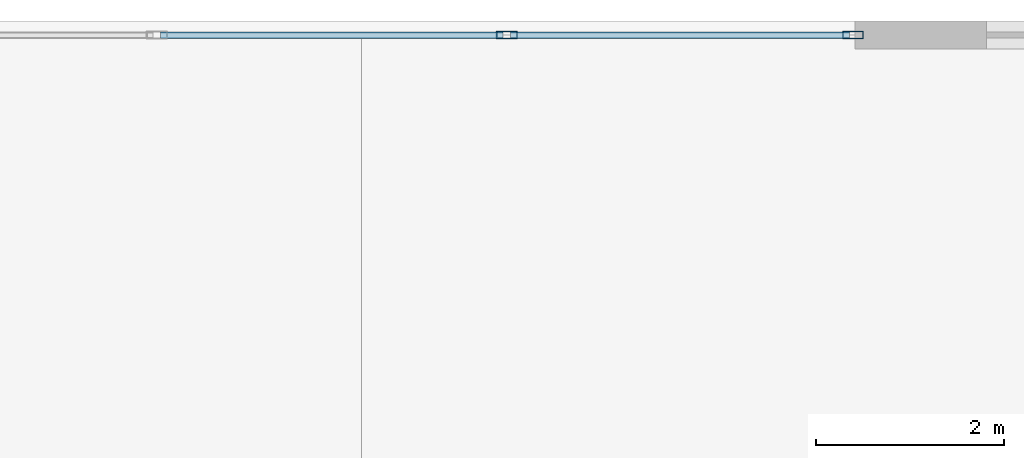
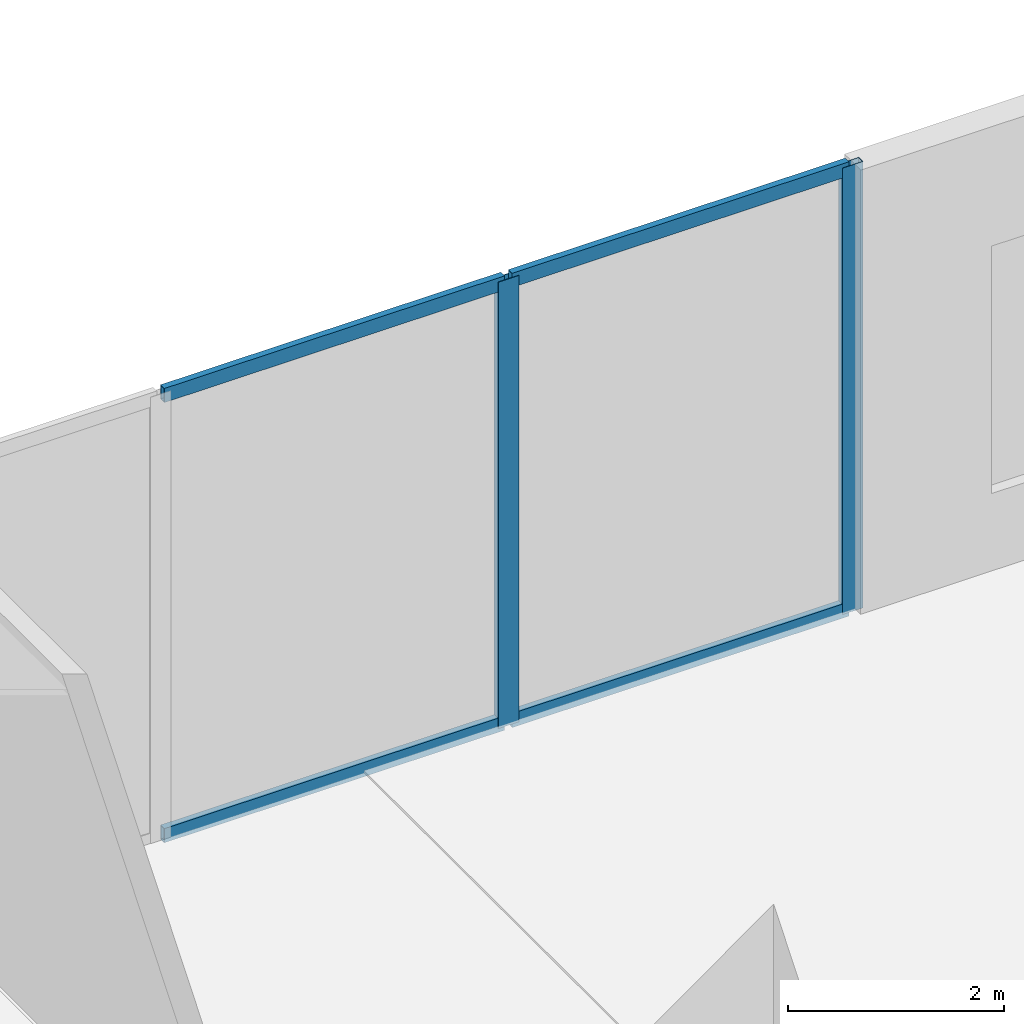
# One storey, part 12 of 28: 6 members, 1 element without a shape of its own.
"""IFC4 building model written with IfcOpenShell, lengths in metres."""

from ifc_helpers import new_model, si_unit, direction, frame, origin, origin_2d, place, context, subcontext, project, spatial, hollow_rectangle, extrude, source, transform, mapped, material, layer, layer_set, material_profile, profile_set, type_object, type_shapes, element, aggregate, save


model = new_model("IFC4")

# Units and contexts
model_context = context("Model", 3, precision=1e-05, world=origin(), true_north=direction((0.0, 1.0)))
body_context = subcontext(model_context, "Body", "Model", "MODEL_VIEW")
ifc_project = project(units=[si_unit("LENGTHUNIT", "METRE"), si_unit("AREAUNIT", "SQUARE_METRE"), si_unit("VOLUMEUNIT", "CUBIC_METRE"), si_unit("PLANEANGLEUNIT", "RADIAN"), si_unit("MASSUNIT", "GRAM", prefix="KILO")], contexts=[model_context])

# Site, building, storey
site_placement = place(None, origin())
site = spatial("IfcSite", under=ifc_project, at=site_placement, CompositionType="ELEMENT")
building_placement = place(site_placement, origin())
building = spatial("IfcBuilding", under=site, at=building_placement, Name="Haelvirn Gate Laboratories", CompositionType="ELEMENT")
storey_placement = place(building_placement, origin())
storey = spatial("IfcBuildingStorey", under=building, at=storey_placement, Name="L01", CompositionType="ELEMENT", Elevation=0.0)

# Curtain wall, members
ifc_material_1 = material(Name="Anodised bronze unitised aluminium & triple low-E glass", Category="aluminium")
ifc_layer = layer(ifc_material_1, 0.18798828125, Name="CW-SYS-1")
ifc_layer_set = layer_set([ifc_layer], Name="Anodised bronze unitised aluminium & triple low-E glass")
curtain_wall_type = type_object("IfcCurtainWallType", Name="CW-SYS-1", PredefinedType="NOTDEFINED", material=ifc_layer_set)
curtain_wall_placement = place(storey_placement, origin())
curtain_wall = element("IfcCurtainWall", 1, at=curtain_wall_placement, inside=storey, type_object=curtain_wall_type, Name="L01 Unitised Curtain Wall CW-L01-NL", PredefinedType="NOTDEFINED")
ifc_material_2 = material(Name="Extruded aluminium 6063-T6 (anodised bronze)", Category="aluminium")
ifc_material_profile_1 = material_profile(ifc_material_2, hollow_rectangle(XDim=0.080078125, YDim=0.219970703125, WallThickness=0.006103515625, at=origin_2d()), Name="CWM-220x80x6")
ifc_profile_set_1 = profile_set([ifc_material_profile_1], Name="Extruded aluminium 6063-T6 (anodised bronze)")
member_type_1 = type_object("IfcMemberType", Name="CWM-T220", PredefinedType="MULLION", material=ifc_profile_set_1)
shared_shape_1 = source(origin(), body_context, "Body", "SweptSolid", [
    extrude(hollow_rectangle(XDim=0.080078125, YDim=0.219970703125, WallThickness=0.006103515625, at=origin_2d()), origin(), (0.0, 0.0, 1.0), 5.050048828125),
])
type_shapes(member_type_1, [shared_shape_1])
member_1_placement = place(storey_placement, frame((24.09716796875, 49.25, 0.0), z_axis=(0.0, 0.0, 1.0), x_axis=(0.0, 1.0, 0.0)))
member_1 = element("IfcMember", 2, at=member_1_placement, type_object=member_type_1, Name="CW1 mullion 7", PredefinedType="MULLION", context=body_context, shape_type="MappedRepresentation", body=[
    mapped(shared_shape_1, transform((0.0, 0.0, 0.0), scale=1.0)),
])
member_2_placement = place(storey_placement, frame((27.780029296875, 49.25, 0.0), z_axis=(0.0, 0.0, 1.0), x_axis=(0.0, 1.0, 0.0)))
member_2 = element("IfcMember", 3, at=member_2_placement, type_object=member_type_1, Name="CW1 mullion 8", PredefinedType="MULLION", context=body_context, shape_type="MappedRepresentation", body=[
    mapped(shared_shape_1, transform((0.0, 0.0, 0.0), scale=1.0)),
])
ifc_material_profile_2 = material_profile(ifc_material_2, hollow_rectangle(XDim=0.070068359375, YDim=0.159912109375, WallThickness=0.0048828125, at=origin_2d()), Name="CWT-160x70x5")
ifc_profile_set_2 = profile_set([ifc_material_profile_2], Name="Extruded aluminium 6063-T6 (anodised bronze)")
member_type_2 = type_object("IfcMemberType", Name="CWT-T160", PredefinedType="USERDEFINED", material=ifc_profile_set_2)
shared_shape_2 = source(origin(), body_context, "Body", "SweptSolid", [
    extrude(hollow_rectangle(XDim=0.070068359375, YDim=0.159912109375, WallThickness=0.0048828125, at=origin_2d()), origin(), (0.0, 0.0, 1.0), 3.602783203125),
])
member_3_placement = place(storey_placement, frame((24.13720703125, 49.25, 0.034912109375), z_axis=(1.0, 0.0, 0.0), x_axis=(0.0, 1.0, 0.0)))
member_3 = element("IfcMember", 4, at=member_3_placement, type_object=member_type_2, Name="CW1 transom 7.1", ObjectType="TRANSOM", PredefinedType="USERDEFINED", context=body_context, shape_type="MappedRepresentation", body=[
    mapped(shared_shape_2, transform((0.0, 0.0, 0.0), scale=1.0)),
])
member_4_placement = place(storey_placement, frame((24.13720703125, 49.25, 5.014892578125), z_axis=(1.0, 0.0, 0.0), x_axis=(0.0, 1.0, 0.0)))
member_4 = element("IfcMember", 5, at=member_4_placement, type_object=member_type_2, Name="CW1 transom 7.2", ObjectType="TRANSOM", PredefinedType="USERDEFINED", context=body_context, shape_type="MappedRepresentation", body=[
    mapped(shared_shape_2, transform((0.0, 0.0, 0.0), scale=1.0)),
])
shared_shape_3 = source(origin(), body_context, "Body", "SweptSolid", [
    extrude(hollow_rectangle(XDim=0.070068359375, YDim=0.159912109375, WallThickness=0.0048828125, at=origin_2d()), origin(), (0.0, 0.0, 1.0), 3.642822265625),
])
type_shapes(member_type_2, [shared_shape_2, shared_shape_3])
member_5_placement = place(storey_placement, frame((20.414306640625, 49.25, 0.034912109375), z_axis=(1.0, 0.0, 0.0), x_axis=(0.0, 1.0, 0.0)))
member_5 = element("IfcMember", 6, at=member_5_placement, type_object=member_type_2, Name="CW1 transom 6.1", ObjectType="TRANSOM", PredefinedType="USERDEFINED", context=body_context, shape_type="MappedRepresentation", body=[
    mapped(shared_shape_3, transform((0.0, 0.0, 0.0), scale=1.0)),
])
member_6_placement = place(storey_placement, frame((20.414306640625, 49.25, 5.014892578125), z_axis=(1.0, 0.0, 0.0), x_axis=(0.0, 1.0, 0.0)))
member_6 = element("IfcMember", 7, at=member_6_placement, type_object=member_type_2, Name="CW1 transom 6.2", ObjectType="TRANSOM", PredefinedType="USERDEFINED", context=body_context, shape_type="MappedRepresentation", body=[
    mapped(shared_shape_3, transform((0.0, 0.0, 0.0), scale=1.0)),
])
aggregate(curtain_wall, [member_1, member_2, member_5, member_6, member_3, member_4])

save(model, "model.ifc")
